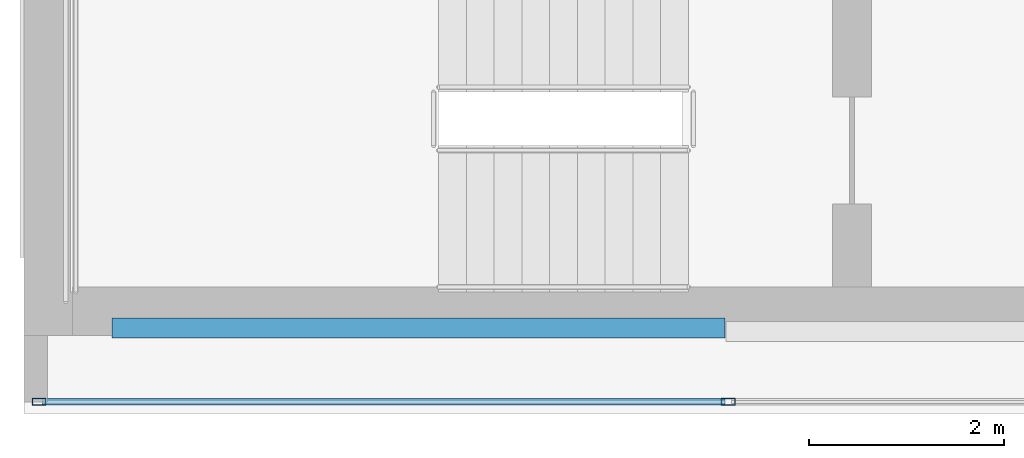
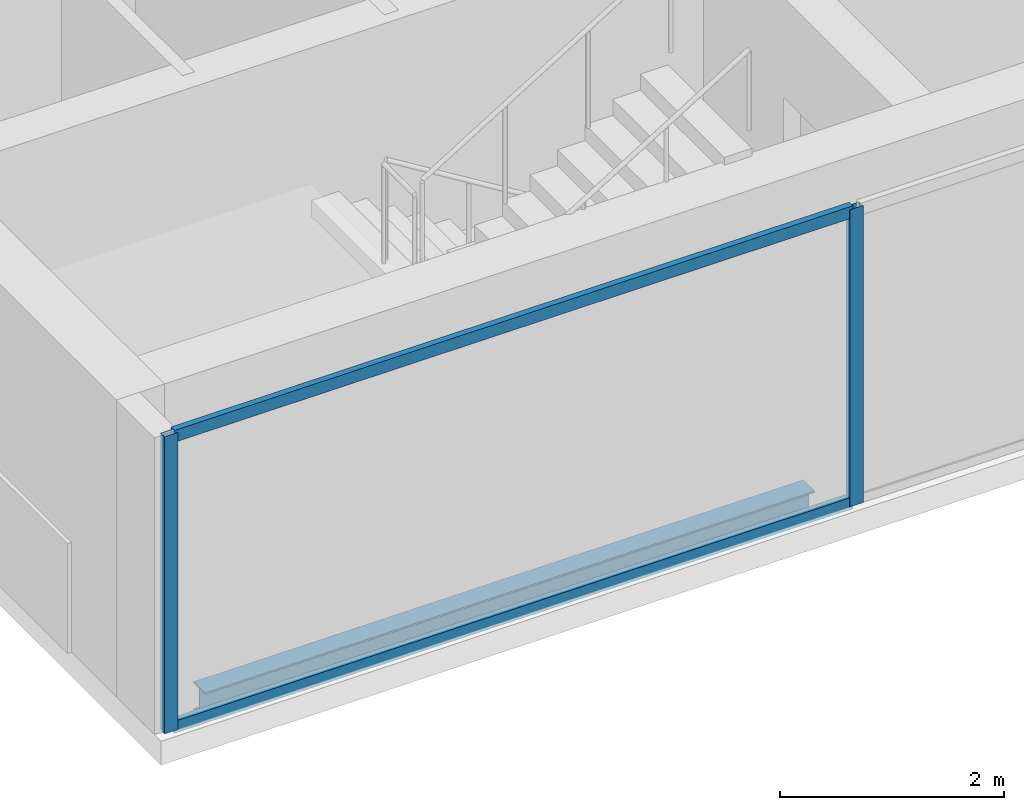
# One storey, part 2 of 23: 4 members, 1 beam, 1 element without a shape of its own.
"""IFC4 building model written with IfcOpenShell, lengths in metres."""

from ifc_helpers import new_model, si_unit, direction, frame, origin, origin_2d, place, context, subcontext, project, spatial, hollow_rectangle, i_section, extrude, material, material_profile, profile_set, type_object, element, aggregate, save


model = new_model("IFC4")

# Units and contexts
model_context = context("Model", 3, precision=1e-05, world=origin(), true_north=direction((0.0, 1.0)))
body_context = subcontext(model_context, "Body", "Model", "MODEL_VIEW")
ifc_project = project(units=[si_unit("LENGTHUNIT", "METRE"), si_unit("AREAUNIT", "SQUARE_METRE"), si_unit("VOLUMEUNIT", "CUBIC_METRE"), si_unit("PLANEANGLEUNIT", "RADIAN"), si_unit("MASSUNIT", "GRAM", prefix="KILO")], contexts=[model_context])

# Site, building, storey
site_placement = place(None, origin())
site = spatial("IfcSite", under=ifc_project, at=site_placement, CompositionType="ELEMENT")
building_placement = place(site_placement, origin())
building = spatial("IfcBuilding", under=site, at=building_placement, Name="Cobrela Telecom Tower", CompositionType="ELEMENT")
storey_placement = place(building_placement, frame((0.0, 0.0, 286.64990234375)))
storey = spatial("IfcBuildingStorey", under=building, at=storey_placement, Name="L75", CompositionType="ELEMENT", Elevation=286.64990234375)

# Beam
ifc_material_1 = material(Name="Steel ASTM A992 Grade 50", Category="steel")
ifc_material_profile_1 = material_profile(ifc_material_1, i_section(OverallWidth=0.205078125, OverallDepth=0.31005859375, WebThickness=0.009521484375, FlangeThickness=0.016357421875, FilletRadius=0.010986328125, at=origin_2d()), Name="W12X50")
ifc_profile_set_1 = profile_set([ifc_material_profile_1], Name="Steel ASTM A992 Grade 50")
beam_type = type_object("IfcBeamType", Name="BM-SPAND-07", PredefinedType="SPANDREL", material=ifc_profile_set_1)
beam_placement = place(storey_placement, frame((0.905029296875, 7.280029296875, -0.414794921875), z_axis=(1.0, 0.0, 0.0), x_axis=(0.0, 1.0, 0.0)))
element("IfcBeam", 1, at=beam_placement, inside=storey, type_object=beam_type, Name="L75 Perimeter Spandrel X01", PredefinedType="SPANDREL", context=body_context, shape_type="SweptSolid", body=[
    extrude(i_section(OverallWidth=0.205078125, OverallDepth=0.31005859375, WebThickness=0.009521484375, FlangeThickness=0.016357421875, FilletRadius=0.010986328125, at=origin_2d()), origin(), (0.0, 0.0, 1.0), 6.2900390625),
])

# Curtain wall, members
ifc_material_2 = material(Name="Anodized Bronze Aluminium 6063-T6", Category="aluminium")
curtain_wall_type = type_object("IfcCurtainWallType", Name="CW-SYS-OFF-HI", PredefinedType="USERDEFINED", material=ifc_material_2)
curtain_wall_placement = place(storey_placement, origin())
curtain_wall = element("IfcCurtainWall", 2, at=curtain_wall_placement, inside=storey, type_object=curtain_wall_type, Name="L75 Unitised Bronze Curtain Wall 15", ObjectType="UNITISED CURTAIN WALL", PredefinedType="USERDEFINED")
ifc_material_profile_2 = material_profile(ifc_material_2, hollow_rectangle(XDim=0.070068359375, YDim=0.139892578125, WallThickness=0.00390625, at=origin_2d()), Name="ALU 70x140x4")
ifc_profile_set_2 = profile_set([ifc_material_profile_2], Name="Anodized Bronze Aluminium 6063-T6")
member_type_1 = type_object("IfcMemberType", Name="CW-SYS-OFF-HI-MUL", PredefinedType="MULLION", material=ifc_profile_set_2)
member_1_placement = place(storey_placement, frame((7.228271484375, 6.52001953125, 0.0), z_axis=(0.0, 0.0, 1.0), x_axis=(0.0, -1.0, 0.0)))
member_1 = element("IfcMember", 3, at=member_1_placement, type_object=member_type_1, Name="CW-OFF-HI mullion 6", PredefinedType="MULLION", context=body_context, shape_type="SweptSolid", body=[
    extrude(hollow_rectangle(XDim=0.070068359375, YDim=0.139892578125, WallThickness=0.00390625, at=origin_2d()), origin(), (0.0, 0.0, 1.0), 3.239990234375),
])
member_2_placement = place(storey_placement, frame((0.155029296875, 6.52001953125, 0.0), z_axis=(0.0, 0.0, 1.0), x_axis=(0.0, -1.0, 0.0)))
member_2 = element("IfcMember", 4, at=member_2_placement, type_object=member_type_1, Name="CW-OFF-HI mullion 7", PredefinedType="MULLION", context=body_context, shape_type="SweptSolid", body=[
    extrude(hollow_rectangle(XDim=0.070068359375, YDim=0.139892578125, WallThickness=0.00390625, at=origin_2d()), origin(), (0.0, 0.0, 1.0), 3.239990234375),
])
ifc_material_profile_3 = material_profile(ifc_material_2, hollow_rectangle(XDim=0.06494140625, YDim=0.1298828125, WallThickness=0.00390625, at=origin_2d()), Name="ALU 65x130x4")
ifc_profile_set_3 = profile_set([ifc_material_profile_3], Name="Anodized Bronze Aluminium 6063-T6")
member_type_2 = type_object("IfcMemberType", Name="CW-SYS-OFF-HI-TRN", PredefinedType="USERDEFINED", material=ifc_profile_set_3)
member_3_placement = place(storey_placement, frame((7.193359375, 6.52001953125, 0.03271484375), z_axis=(-1.0, 0.0, 0.0), x_axis=(0.0, -1.0, 0.0)))
member_3 = element("IfcMember", 5, at=member_3_placement, type_object=member_type_2, Name="CW-OFF-HI transom 6.1", ObjectType="TRANSOM", PredefinedType="USERDEFINED", context=body_context, shape_type="SweptSolid", body=[
    extrude(hollow_rectangle(XDim=0.06494140625, YDim=0.1298828125, WallThickness=0.00390625, at=origin_2d()), origin(), (0.0, 0.0, 1.0), 7.00341796875),
])
member_4_placement = place(storey_placement, frame((7.193359375, 6.52001953125, 3.20751953125), z_axis=(-1.0, 0.0, 0.0), x_axis=(0.0, -1.0, 0.0)))
member_4 = element("IfcMember", 6, at=member_4_placement, type_object=member_type_2, Name="CW-OFF-HI transom 6.2", ObjectType="TRANSOM", PredefinedType="USERDEFINED", context=body_context, shape_type="SweptSolid", body=[
    extrude(hollow_rectangle(XDim=0.06494140625, YDim=0.1298828125, WallThickness=0.00390625, at=origin_2d()), origin(), (0.0, 0.0, 1.0), 7.00341796875),
])
aggregate(curtain_wall, [member_1, member_2, member_3, member_4])

save(model, "model.ifc")
